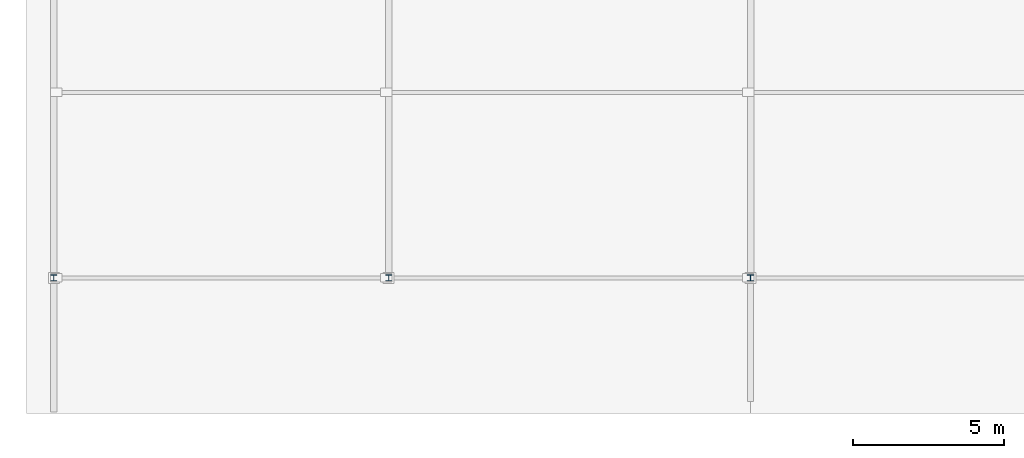
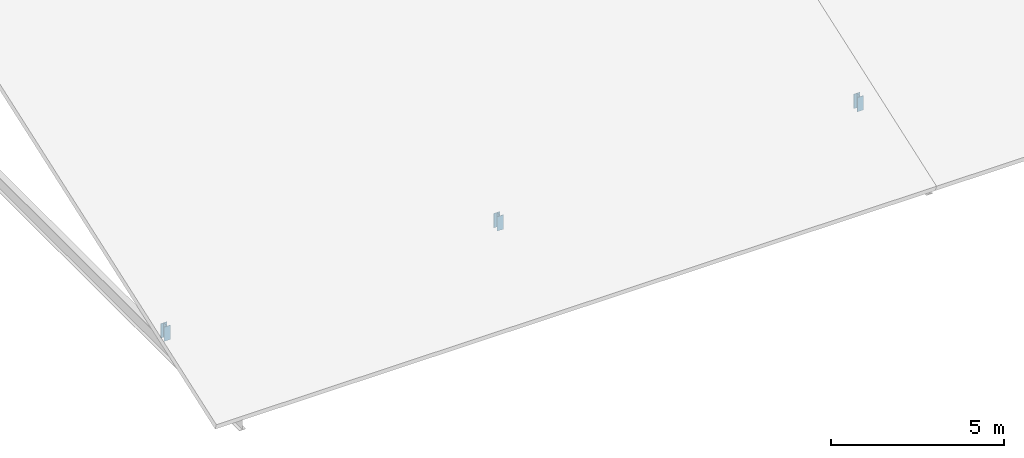
# One storey, part 33 of 42: 3 members.
"""IFC4 building model written with IfcOpenShell, lengths in metres."""

from ifc_helpers import new_model, si_unit, direction, frame, origin, origin_2d, place, context, subcontext, project, spatial, i_section, extrude, material, material_profile, profile_set, type_object, element, save


model = new_model("IFC4")

# Units and contexts
model_context = context("Model", 3, precision=1e-05, world=origin(), true_north=direction((0.0, 1.0)))
body_context = subcontext(model_context, "Body", "Model", "MODEL_VIEW")
ifc_project = project(units=[si_unit("LENGTHUNIT", "METRE"), si_unit("AREAUNIT", "SQUARE_METRE"), si_unit("VOLUMEUNIT", "CUBIC_METRE"), si_unit("PLANEANGLEUNIT", "RADIAN"), si_unit("MASSUNIT", "GRAM", prefix="KILO")], contexts=[model_context])

# Site, building, storey
site_placement = place(None, origin())
site = spatial("IfcSite", under=ifc_project, at=site_placement, CompositionType="ELEMENT")
building_placement = place(site_placement, origin())
building = spatial("IfcBuilding", under=site, at=building_placement, Name="Kelmvaro Bay Concert Hall", CompositionType="ELEMENT")
storey_placement = place(building_placement, frame((0.0, 0.0, 26.699951171875)))
storey = spatial("IfcBuildingStorey", under=building, at=storey_placement, Name="RF", CompositionType="ELEMENT", Elevation=26.699951171875)

# Members
ifc_material = material(Name="Steel ASTM A992 Grade 50", Category="steel")
ifc_material_profile = material_profile(ifc_material, i_section(OverallWidth=0.2041015625, OverallDepth=0.2060546875, WebThickness=0.0078125, FlangeThickness=0.0126953125, at=origin_2d()), Name="W8X35")
ifc_profile_set = profile_set([ifc_material_profile], Name="Steel ASTM A992 Grade 50")
member_type = type_object("IfcMemberType", Name="Crystal Eave Tie Strut W8x35", PredefinedType="STRUT", material=ifc_profile_set)
for number, where, z_axis, x_axis, name in (
    (1, (0.89990234375, 4.5, -12.9150390625), (0.0, 0.0, 1.0), (1.0, 0.0, 0.0), "V3 Crystal Roof Post 001"),
    (2, (12.0, 4.5, -12.9150390625), (0.0, 0.0, 1.0), (1.0, 0.0, 0.0), "V3 Crystal Roof Post 006"),
    (3, (24.0, 4.5, -12.9150390625), (0.0, 0.0, 1.0), (1.0, 0.0, 0.0), "V3 Crystal Roof Post 011"),
):
    element("IfcMember", number, at=place(storey_placement, frame(where, z_axis=z_axis, x_axis=x_axis)), inside=storey, type_object=member_type, Name=name, PredefinedType="STRUT", context=body_context, shape_type="SweptSolid", body=[
        extrude(i_section(OverallWidth=0.2041015625, OverallDepth=0.2060546875, WebThickness=0.0078125, FlangeThickness=0.0126953125, at=origin_2d()), origin(), (0.0, 0.0, 1.0), 0.5068359375),
    ])

save(model, "model.ifc")
